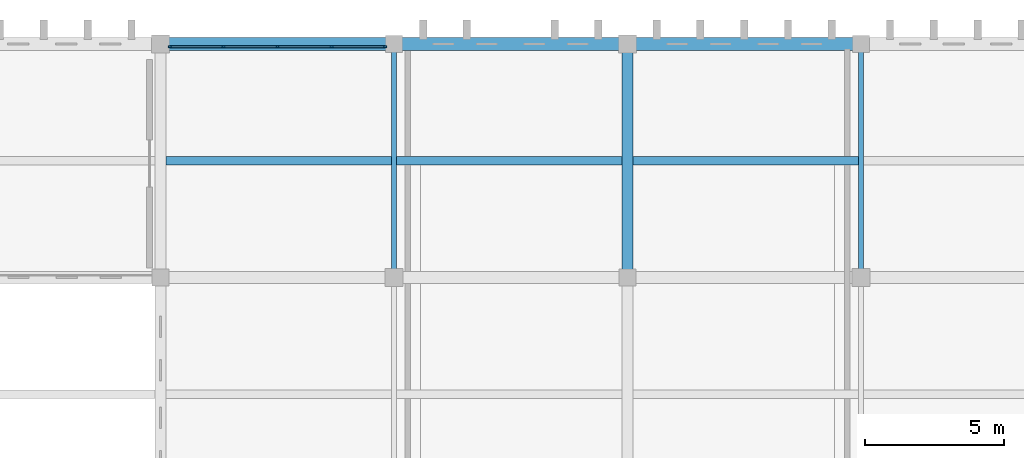
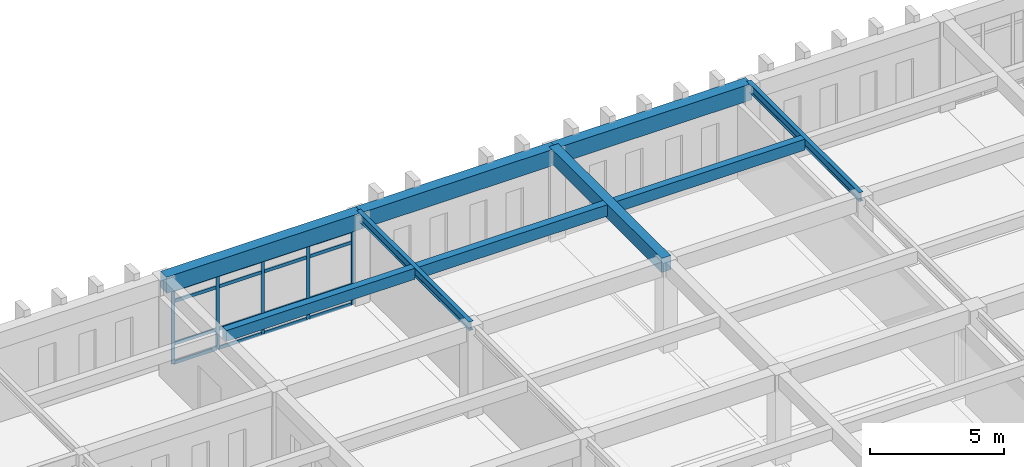
# One storey, part 99 of 192: 21 members, 9 beams, 1 element without a shape of its own.
"""IFC4 building model written with IfcOpenShell, lengths in metres."""

from ifc_helpers import new_model, si_unit, direction, frame, origin, origin_2d, place, context, subcontext, project, spatial, rectangle, i_section, extrude, material, layer, layer_set, material_profile, profile_set, type_object, element, aggregate, save


model = new_model("IFC4")

# Units and contexts
model_context = context("Model", 3, precision=1e-05, world=origin(), true_north=direction((0.0, 1.0)))
body_context = subcontext(model_context, "Body", "Model", "MODEL_VIEW")
ifc_project = project(units=[si_unit("LENGTHUNIT", "METRE"), si_unit("AREAUNIT", "SQUARE_METRE"), si_unit("VOLUMEUNIT", "CUBIC_METRE"), si_unit("PLANEANGLEUNIT", "RADIAN"), si_unit("MASSUNIT", "GRAM", prefix="KILO")], contexts=[model_context])

# Site, building, storey
site_placement = place(None, origin())
site = spatial("IfcSite", under=ifc_project, at=site_placement, CompositionType="ELEMENT")
building_placement = place(site_placement, origin())
building = spatial("IfcBuilding", under=site, at=building_placement, Name="Kveldsbrygga Polytechnic", CompositionType="ELEMENT")
storey_placement = place(building_placement, frame((0.0, 0.0, 5.43994140625)))
storey = spatial("IfcBuildingStorey", under=building, at=storey_placement, Name="L01", CompositionType="ELEMENT", Elevation=5.43994140625)

# Beams
ifc_material_1 = material(Name="Concrete C35/45", Category="concrete")
ifc_material_profile_1 = material_profile(ifc_material_1, rectangle(XDim=0.39990234375, YDim=0.64990234375, at=origin_2d()), Name="RC 400x650")
ifc_profile_set_1 = profile_set([ifc_material_profile_1], Name="Concrete C35/45")
beam_type_1 = type_object("IfcBeamType", Name="BM-RC-400x650", PredefinedType="BEAM", material=ifc_profile_set_1)
beam_1_placement = place(storey_placement, frame((117.60009765625, 109.199951171875, 3.795166015625), z_axis=(0.0, 1.0, 0.0), x_axis=(-1.0, 0.0, 0.0)))
element("IfcBeam", 1, at=beam_1_placement, inside=storey, type_object=beam_type_1, Name="Primary Beam BMY-L01-14-13to14", PredefinedType="BEAM", context=body_context, shape_type="SweptSolid", body=[
    extrude(rectangle(XDim=0.39990234375, YDim=0.64990234375, at=origin_2d()), origin(), (0.0, 0.0, 1.0), 8.400146484375),
])
ifc_material_profile_2 = material_profile(ifc_material_1, rectangle(XDim=0.4599609375, YDim=0.739990234375, at=origin_2d()), Name="RC 460x740")
ifc_profile_set_2 = profile_set([ifc_material_profile_2], Name="Concrete C35/45")
beam_type_2 = type_object("IfcBeamType", Name="BM-RC-460x740", PredefinedType="BEAM", material=ifc_profile_set_2)
beam_2_placement = place(storey_placement, frame((100.800048828125, 117.60009765625, 3.75), z_axis=(1.0, 0.0, 0.0), x_axis=(0.0, 1.0, 0.0)))
element("IfcBeam", 2, at=beam_2_placement, inside=storey, type_object=beam_type_2, Name="Primary Beam BMX-L01-12to13-14", PredefinedType="BEAM", context=body_context, shape_type="SweptSolid", body=[
    extrude(rectangle(XDim=0.4599609375, YDim=0.739990234375, at=origin_2d()), origin(), (0.0, 0.0, 1.0), 8.39990234375),
])
beam_3_placement = place(storey_placement, frame((109.199951171875, 117.60009765625, 3.75), z_axis=(1.0, 0.0, 0.0), x_axis=(0.0, 1.0, 0.0)))
element("IfcBeam", 3, at=beam_3_placement, inside=storey, type_object=beam_type_2, Name="Primary Beam BMX-L01-13to14-14", PredefinedType="BEAM", context=body_context, shape_type="SweptSolid", body=[
    extrude(rectangle(XDim=0.4599609375, YDim=0.739990234375, at=origin_2d()), origin(), (0.0, 0.0, 1.0), 8.400146484375),
])
beam_4_placement = place(storey_placement, frame((117.60009765625, 117.60009765625, 3.75), z_axis=(1.0, 0.0, 0.0), x_axis=(0.0, 1.0, 0.0)))
element("IfcBeam", 4, at=beam_4_placement, inside=storey, type_object=beam_type_2, Name="Primary Beam BMX-L01-14to15-14", PredefinedType="BEAM", context=body_context, shape_type="SweptSolid", body=[
    extrude(rectangle(XDim=0.4599609375, YDim=0.739990234375, at=origin_2d()), origin(), (0.0, 0.0, 1.0), 8.39990234375),
])
ifc_material_2 = material(Name="Steel S355", Category="steel")
ifc_material_profile_3 = material_profile(ifc_material_2, i_section(OverallWidth=0.179931640625, OverallDepth=0.39990234375, WebThickness=0.008544921875, FlangeThickness=0.013427734375, FilletRadius=0.02099609375, at=origin_2d()), Name="IPE 400")
ifc_profile_set_3 = profile_set([ifc_material_profile_3], Name="Steel S355")
beam_type_3 = type_object("IfcBeamType", Name="BM-STL-IPE400", PredefinedType="BEAM", material=ifc_profile_set_3)
for number, where, z_axis, x_axis, name in (
    (5, (109.199951171875, 109.199951171875, 3.920166015625), (0.0, 1.0, 0.0), (-1.0, 0.0, 0.0), "Primary Beam BMY-L01-13-13to14"),
    (6, (126.0, 109.199951171875, 3.920166015625), (0.0, 1.0, 0.0), (-1.0, 0.0, 0.0), "Primary Beam BMY-L01-15-13to14"),
):
    element("IfcBeam", number, at=place(storey_placement, frame(where, z_axis=z_axis, x_axis=x_axis)), inside=storey, type_object=beam_type_3, Name=name, PredefinedType="BEAM", context=body_context, shape_type="SweptSolid", body=[
        extrude(i_section(OverallWidth=0.179931640625, OverallDepth=0.39990234375, WebThickness=0.008544921875, FlangeThickness=0.013427734375, FilletRadius=0.02099609375, at=origin_2d()), origin(), (0.0, 0.0, 1.0), 8.400146484375),
    ])

# Curtain wall, members
ifc_material_3 = material(Name="Anodised aluminium AW-6060", Category="aluminium")
ifc_layer = layer(ifc_material_3, 0.199951171875)
ifc_layer_set = layer_set([ifc_layer], Name="Anodised aluminium AW-6060")
curtain_wall_type = type_object("IfcCurtainWallType", Name="CW-LANC-E", PredefinedType="USERDEFINED", material=ifc_layer_set)
curtain_wall_placement = place(storey_placement, origin())
curtain_wall = element("IfcCurtainWall", 7, at=curtain_wall_placement, inside=storey, type_object=curtain_wall_type, Name="Curtain Wall CW-L01-X-12-14", ObjectType="UNITISED CURTAIN WALL", PredefinedType="USERDEFINED")
ifc_material_profile_4 = material_profile(ifc_material_3, rectangle(XDim=0.06005859375, YDim=0.139892578125, at=origin_2d()), Name="ALU 60x140")
ifc_profile_set_4 = profile_set([ifc_material_profile_4], Name="Anodised aluminium AW-6060")
member_type_1 = type_object("IfcMemberType", Name="CW-MUL-140", PredefinedType="MULLION", material=ifc_profile_set_4)
member_1_placement = place(storey_placement, frame((101.139892578125, 117.5, 0.0), z_axis=(0.0, 0.0, 1.0), x_axis=(0.0, 1.0, 0.0)))
member_1 = element("IfcMember", 8, at=member_1_placement, type_object=member_type_1, Name="CW-05 mullion 1", PredefinedType="MULLION", context=body_context, shape_type="SweptSolid", body=[
    extrude(rectangle(XDim=0.06005859375, YDim=0.139892578125, at=origin_2d()), origin(), (0.0, 0.0, 1.0), 3.380126953125),
])
member_2_placement = place(storey_placement, frame((103.058837890625, 117.5, 0.0), z_axis=(0.0, 0.0, 1.0), x_axis=(0.0, 1.0, 0.0)))
member_2 = element("IfcMember", 9, at=member_2_placement, type_object=member_type_1, Name="CW-05 mullion 2", PredefinedType="MULLION", context=body_context, shape_type="SweptSolid", body=[
    extrude(rectangle(XDim=0.06005859375, YDim=0.139892578125, at=origin_2d()), origin(), (0.0, 0.0, 1.0), 3.380126953125),
])
member_3_placement = place(storey_placement, frame((105.007568359375, 117.5, 0.0), z_axis=(0.0, 0.0, 1.0), x_axis=(0.0, 1.0, 0.0)))
member_3 = element("IfcMember", 10, at=member_3_placement, type_object=member_type_1, Name="CW-05 mullion 3", PredefinedType="MULLION", context=body_context, shape_type="SweptSolid", body=[
    extrude(rectangle(XDim=0.06005859375, YDim=0.139892578125, at=origin_2d()), origin(), (0.0, 0.0, 1.0), 3.380126953125),
])
member_4_placement = place(storey_placement, frame((106.956298828125, 117.5, 0.0), z_axis=(0.0, 0.0, 1.0), x_axis=(0.0, 1.0, 0.0)))
member_4 = element("IfcMember", 11, at=member_4_placement, type_object=member_type_1, Name="CW-05 mullion 4", PredefinedType="MULLION", context=body_context, shape_type="SweptSolid", body=[
    extrude(rectangle(XDim=0.06005859375, YDim=0.139892578125, at=origin_2d()), origin(), (0.0, 0.0, 1.0), 3.380126953125),
])
member_5_placement = place(storey_placement, frame((108.875, 117.5, 0.0), z_axis=(0.0, 0.0, 1.0), x_axis=(0.0, 1.0, 0.0)))
member_5 = element("IfcMember", 12, at=member_5_placement, type_object=member_type_1, Name="CW-05 mullion 5", PredefinedType="MULLION", context=body_context, shape_type="SweptSolid", body=[
    extrude(rectangle(XDim=0.06005859375, YDim=0.139892578125, at=origin_2d()), origin(), (0.0, 0.0, 1.0), 3.380126953125),
])
ifc_material_profile_5 = material_profile(ifc_material_3, rectangle(XDim=0.06005859375, YDim=0.14990234375, at=origin_2d()), Name="ALU 60x150")
ifc_profile_set_5 = profile_set([ifc_material_profile_5], Name="Anodised aluminium AW-6060")
member_type_2 = type_object("IfcMemberType", Name="CW-TRN-150", PredefinedType="USERDEFINED", material=ifc_profile_set_5)
member_6_placement = place(storey_placement, frame((101.169921875, 117.5, 0.030029296875), z_axis=(1.0, 0.0, 0.0), x_axis=(0.0, 1.0, 0.0)))
member_6 = element("IfcMember", 13, at=member_6_placement, type_object=member_type_2, Name="CW-05 transom 1.1", ObjectType="TRANSOM", PredefinedType="USERDEFINED", context=body_context, shape_type="SweptSolid", body=[
    extrude(rectangle(XDim=0.06005859375, YDim=0.14990234375, at=origin_2d()), origin(), (0.0, 0.0, 1.0), 1.85888671875),
])
member_7_placement = place(storey_placement, frame((101.169921875, 117.5, 0.900146484375), z_axis=(1.0, 0.0, 0.0), x_axis=(0.0, 1.0, 0.0)))
member_7 = element("IfcMember", 14, at=member_7_placement, type_object=member_type_2, Name="CW-05 transom 1.2", ObjectType="TRANSOM", PredefinedType="USERDEFINED", context=body_context, shape_type="SweptSolid", body=[
    extrude(rectangle(XDim=0.06005859375, YDim=0.14990234375, at=origin_2d()), origin(), (0.0, 0.0, 1.0), 1.85888671875),
])
member_8_placement = place(storey_placement, frame((101.169921875, 117.5, 2.830078125), z_axis=(1.0, 0.0, 0.0), x_axis=(0.0, 1.0, 0.0)))
member_8 = element("IfcMember", 15, at=member_8_placement, type_object=member_type_2, Name="CW-05 transom 1.3", ObjectType="TRANSOM", PredefinedType="USERDEFINED", context=body_context, shape_type="SweptSolid", body=[
    extrude(rectangle(XDim=0.06005859375, YDim=0.14990234375, at=origin_2d()), origin(), (0.0, 0.0, 1.0), 1.85888671875),
])
member_9_placement = place(storey_placement, frame((101.169921875, 117.5, 3.35009765625), z_axis=(1.0, 0.0, 0.0), x_axis=(0.0, 1.0, 0.0)))
member_9 = element("IfcMember", 16, at=member_9_placement, type_object=member_type_2, Name="CW-05 transom 1.4", ObjectType="TRANSOM", PredefinedType="USERDEFINED", context=body_context, shape_type="SweptSolid", body=[
    extrude(rectangle(XDim=0.06005859375, YDim=0.14990234375, at=origin_2d()), origin(), (0.0, 0.0, 1.0), 1.85888671875),
])
member_10_placement = place(storey_placement, frame((103.0888671875, 117.5, 0.030029296875), z_axis=(1.0, 0.0, 0.0), x_axis=(0.0, 1.0, 0.0)))
member_10 = element("IfcMember", 17, at=member_10_placement, type_object=member_type_2, Name="CW-05 transom 2.1", ObjectType="TRANSOM", PredefinedType="USERDEFINED", context=body_context, shape_type="SweptSolid", body=[
    extrude(rectangle(XDim=0.06005859375, YDim=0.14990234375, at=origin_2d()), origin(), (0.0, 0.0, 1.0), 1.888671875),
])
member_11_placement = place(storey_placement, frame((103.0888671875, 117.5, 0.900146484375), z_axis=(1.0, 0.0, 0.0), x_axis=(0.0, 1.0, 0.0)))
member_11 = element("IfcMember", 18, at=member_11_placement, type_object=member_type_2, Name="CW-05 transom 2.2", ObjectType="TRANSOM", PredefinedType="USERDEFINED", context=body_context, shape_type="SweptSolid", body=[
    extrude(rectangle(XDim=0.06005859375, YDim=0.14990234375, at=origin_2d()), origin(), (0.0, 0.0, 1.0), 1.888671875),
])
member_12_placement = place(storey_placement, frame((103.0888671875, 117.5, 2.830078125), z_axis=(1.0, 0.0, 0.0), x_axis=(0.0, 1.0, 0.0)))
member_12 = element("IfcMember", 19, at=member_12_placement, type_object=member_type_2, Name="CW-05 transom 2.3", ObjectType="TRANSOM", PredefinedType="USERDEFINED", context=body_context, shape_type="SweptSolid", body=[
    extrude(rectangle(XDim=0.06005859375, YDim=0.14990234375, at=origin_2d()), origin(), (0.0, 0.0, 1.0), 1.888671875),
])
member_13_placement = place(storey_placement, frame((103.0888671875, 117.5, 3.35009765625), z_axis=(1.0, 0.0, 0.0), x_axis=(0.0, 1.0, 0.0)))
member_13 = element("IfcMember", 20, at=member_13_placement, type_object=member_type_2, Name="CW-05 transom 2.4", ObjectType="TRANSOM", PredefinedType="USERDEFINED", context=body_context, shape_type="SweptSolid", body=[
    extrude(rectangle(XDim=0.06005859375, YDim=0.14990234375, at=origin_2d()), origin(), (0.0, 0.0, 1.0), 1.888671875),
])
member_14_placement = place(storey_placement, frame((105.03759765625, 117.5, 0.030029296875), z_axis=(1.0, 0.0, 0.0), x_axis=(0.0, 1.0, 0.0)))
member_14 = element("IfcMember", 21, at=member_14_placement, type_object=member_type_2, Name="CW-05 transom 3.1", ObjectType="TRANSOM", PredefinedType="USERDEFINED", context=body_context, shape_type="SweptSolid", body=[
    extrude(rectangle(XDim=0.06005859375, YDim=0.14990234375, at=origin_2d()), origin(), (0.0, 0.0, 1.0), 1.888671875),
])
member_15_placement = place(storey_placement, frame((105.03759765625, 117.5, 0.900146484375), z_axis=(1.0, 0.0, 0.0), x_axis=(0.0, 1.0, 0.0)))
member_15 = element("IfcMember", 22, at=member_15_placement, type_object=member_type_2, Name="CW-05 transom 3.2", ObjectType="TRANSOM", PredefinedType="USERDEFINED", context=body_context, shape_type="SweptSolid", body=[
    extrude(rectangle(XDim=0.06005859375, YDim=0.14990234375, at=origin_2d()), origin(), (0.0, 0.0, 1.0), 1.888671875),
])
member_16_placement = place(storey_placement, frame((105.03759765625, 117.5, 2.830078125), z_axis=(1.0, 0.0, 0.0), x_axis=(0.0, 1.0, 0.0)))
member_16 = element("IfcMember", 23, at=member_16_placement, type_object=member_type_2, Name="CW-05 transom 3.3", ObjectType="TRANSOM", PredefinedType="USERDEFINED", context=body_context, shape_type="SweptSolid", body=[
    extrude(rectangle(XDim=0.06005859375, YDim=0.14990234375, at=origin_2d()), origin(), (0.0, 0.0, 1.0), 1.888671875),
])
member_17_placement = place(storey_placement, frame((105.03759765625, 117.5, 3.35009765625), z_axis=(1.0, 0.0, 0.0), x_axis=(0.0, 1.0, 0.0)))
member_17 = element("IfcMember", 24, at=member_17_placement, type_object=member_type_2, Name="CW-05 transom 3.4", ObjectType="TRANSOM", PredefinedType="USERDEFINED", context=body_context, shape_type="SweptSolid", body=[
    extrude(rectangle(XDim=0.06005859375, YDim=0.14990234375, at=origin_2d()), origin(), (0.0, 0.0, 1.0), 1.888671875),
])
member_18_placement = place(storey_placement, frame((106.986328125, 117.5, 0.030029296875), z_axis=(1.0, 0.0, 0.0), x_axis=(0.0, 1.0, 0.0)))
member_18 = element("IfcMember", 25, at=member_18_placement, type_object=member_type_2, Name="CW-05 transom 4.1", ObjectType="TRANSOM", PredefinedType="USERDEFINED", context=body_context, shape_type="SweptSolid", body=[
    extrude(rectangle(XDim=0.06005859375, YDim=0.14990234375, at=origin_2d()), origin(), (0.0, 0.0, 1.0), 1.858642578125),
])
member_19_placement = place(storey_placement, frame((106.986328125, 117.5, 0.900146484375), z_axis=(1.0, 0.0, 0.0), x_axis=(0.0, 1.0, 0.0)))
member_19 = element("IfcMember", 26, at=member_19_placement, type_object=member_type_2, Name="CW-05 transom 4.2", ObjectType="TRANSOM", PredefinedType="USERDEFINED", context=body_context, shape_type="SweptSolid", body=[
    extrude(rectangle(XDim=0.06005859375, YDim=0.14990234375, at=origin_2d()), origin(), (0.0, 0.0, 1.0), 1.858642578125),
])
member_20_placement = place(storey_placement, frame((106.986328125, 117.5, 2.830078125), z_axis=(1.0, 0.0, 0.0), x_axis=(0.0, 1.0, 0.0)))
member_20 = element("IfcMember", 27, at=member_20_placement, type_object=member_type_2, Name="CW-05 transom 4.3", ObjectType="TRANSOM", PredefinedType="USERDEFINED", context=body_context, shape_type="SweptSolid", body=[
    extrude(rectangle(XDim=0.06005859375, YDim=0.14990234375, at=origin_2d()), origin(), (0.0, 0.0, 1.0), 1.858642578125),
])
member_21_placement = place(storey_placement, frame((106.986328125, 117.5, 3.35009765625), z_axis=(1.0, 0.0, 0.0), x_axis=(0.0, 1.0, 0.0)))
member_21 = element("IfcMember", 28, at=member_21_placement, type_object=member_type_2, Name="CW-05 transom 4.4", ObjectType="TRANSOM", PredefinedType="USERDEFINED", context=body_context, shape_type="SweptSolid", body=[
    extrude(rectangle(XDim=0.06005859375, YDim=0.14990234375, at=origin_2d()), origin(), (0.0, 0.0, 1.0), 1.858642578125),
])
aggregate(curtain_wall, [member_1, member_2, member_3, member_4, member_5, member_6, member_7, member_8, member_9, member_10, member_11, member_12, member_13, member_14, member_15, member_16, member_17, member_18, member_19, member_20, member_21])

# Beams
ifc_material_profile_6 = material_profile(ifc_material_1, rectangle(XDim=0.300048828125, YDim=0.5, at=origin_2d()), Name="RC 300x500")
ifc_profile_set_6 = profile_set([ifc_material_profile_6], Name="Concrete C35/45")
beam_type_4 = type_object("IfcBeamType", Name="JST-RC-300x500", PredefinedType="JOIST", material=ifc_profile_set_6)
beam_5_placement = place(storey_placement, frame((101.0, 113.39990234375, 3.8701171875), z_axis=(1.0, 0.0, 0.0), x_axis=(0.0, 1.0, 0.0)))
element("IfcBeam", 29, at=beam_5_placement, inside=storey, type_object=beam_type_4, Name="Secondary Joist JST-L01-12-13", PredefinedType="JOIST", context=body_context, shape_type="SweptSolid", body=[
    extrude(rectangle(XDim=0.300048828125, YDim=0.5, at=origin_2d()), origin(), (0.0, 0.0, 1.0), 8.110107421875),
])
beam_6_placement = place(storey_placement, frame((117.800048828125, 113.39990234375, 3.8701171875), z_axis=(1.0, 0.0, 0.0), x_axis=(0.0, 1.0, 0.0)))
element("IfcBeam", 30, at=beam_6_placement, inside=storey, type_object=beam_type_4, Name="Secondary Joist JST-L01-14-13", PredefinedType="JOIST", context=body_context, shape_type="SweptSolid", body=[
    extrude(rectangle(XDim=0.300048828125, YDim=0.5, at=origin_2d()), origin(), (0.0, 0.0, 1.0), 8.10986328125),
])
ifc_material_profile_7 = material_profile(ifc_material_1, rectangle(XDim=0.320068359375, YDim=0.52001953125, at=origin_2d()), Name="RC 320x520")
ifc_profile_set_7 = profile_set([ifc_material_profile_7], Name="Concrete C35/45")
beam_type_5 = type_object("IfcBeamType", Name="JST-RC-320x520", PredefinedType="JOIST", material=ifc_profile_set_7)
beam_7_placement = place(storey_placement, frame((109.2900390625, 113.39990234375, 3.860107421875), z_axis=(1.0, 0.0, 0.0), x_axis=(0.0, 1.0, 0.0)))
element("IfcBeam", 31, at=beam_7_placement, inside=storey, type_object=beam_type_5, Name="Secondary Joist JST-L01-13-13", PredefinedType="JOIST", context=body_context, shape_type="SweptSolid", body=[
    extrude(rectangle(XDim=0.320068359375, YDim=0.52001953125, at=origin_2d()), origin(), (0.0, 0.0, 1.0), 8.10986328125),
])

save(model, "model.ifc")
